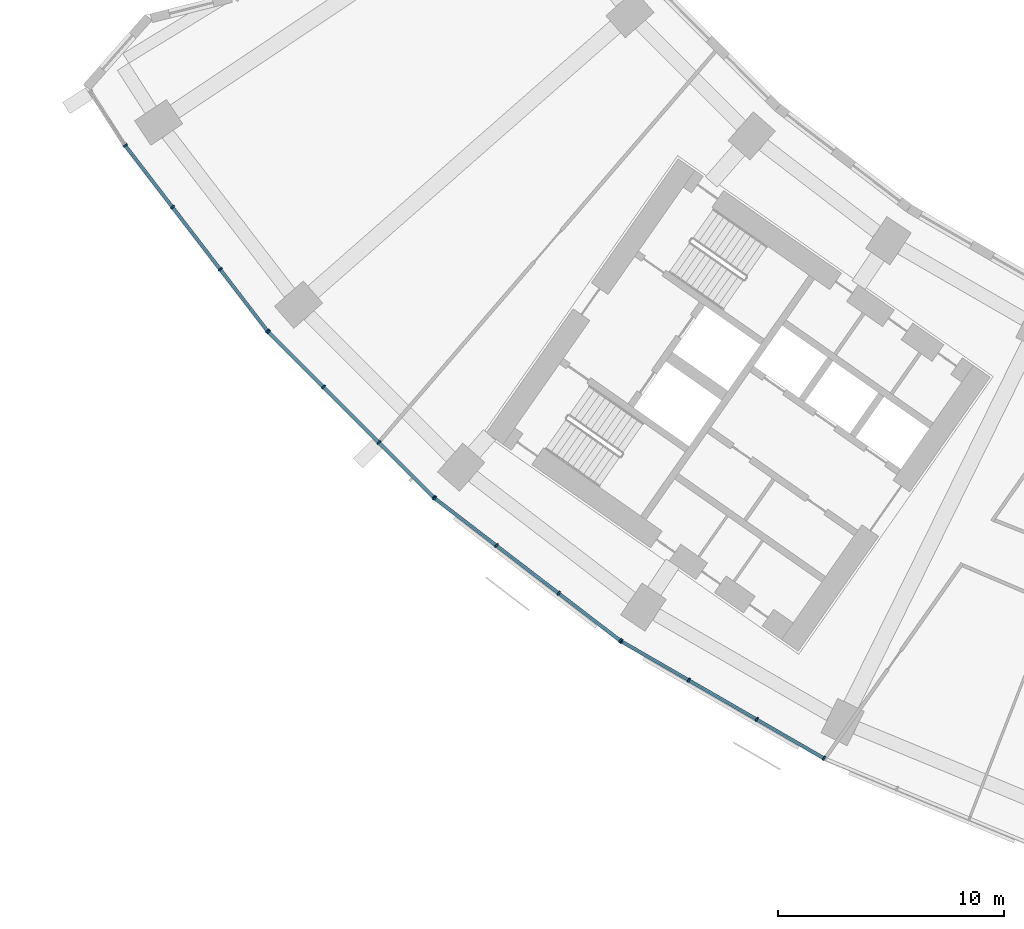
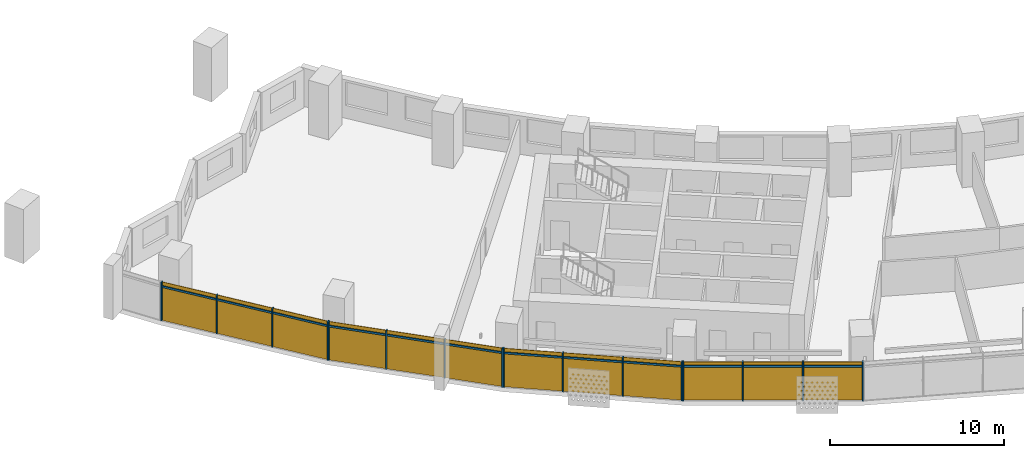
# One storey, part 19 of 31: 28 members, 4 curtain walls.
"""IFC4 building model written with IfcOpenShell, lengths in metres."""

from ifc_helpers import new_model, si_unit, direction, frame, origin, origin_2d, place, context, subcontext, project, spatial, rectangle, extrude, material, material_profile, profile_set, type_object, element, aggregate, save


model = new_model("IFC4")

# Units and contexts
model_context = context("Model", 3, precision=1e-05, world=origin(), true_north=direction((0.0, 1.0)))
body_context = subcontext(model_context, "Body", "Model", "MODEL_VIEW")
ifc_project = project(units=[si_unit("LENGTHUNIT", "METRE"), si_unit("AREAUNIT", "SQUARE_METRE"), si_unit("VOLUMEUNIT", "CUBIC_METRE"), si_unit("PLANEANGLEUNIT", "RADIAN"), si_unit("MASSUNIT", "GRAM", prefix="KILO")], contexts=[model_context])

# Member
ifc_material = material(Name="Aluminium 6063-T6 anodised", Category="aluminium")
ifc_material_profile_1 = material_profile(ifc_material, rectangle(XDim=0.199951171875, YDim=0.070068359375, at=origin_2d()))
ifc_profile_set_1 = profile_set([ifc_material_profile_1], Name="Aluminium 6063-T6 anodised")
member_type_1 = type_object("IfcMemberType", Name="Mullion 70 x 200 aluminium", PredefinedType="MULLION", material=ifc_profile_set_1)
site_placement = place(None, origin())
building_placement = place(site_placement, origin())
storey_placement = place(building_placement, frame((0.0, 0.0, 74.699951171875)))
member_1_placement = place(storey_placement, frame((-66.1259765625, -44.218017578125, 0.0), z_axis=(0.0, 0.0, 1.0), x_axis=(0.793353340291, 0.608761429009, 0.0)))
member_1 = element("IfcMember", 1, at=member_1_placement, type_object=member_type_1, Name="e-cw1-L15-out01/M00", PredefinedType="MULLION", context=body_context, shape_type="SweptSolid", body=[
    extrude(rectangle(XDim=0.199951171875, YDim=0.070068359375, at=origin_2d()), origin(), (0.0, 0.0, 1.0), 2.699951171875),
])

member_2_placement = place(storey_placement, frame((-64.032958984375, -46.945556640625, 0.0), z_axis=(0.0, 0.0, 1.0), x_axis=(0.793353340291, 0.608761429009, 0.0)))
member_2 = element("IfcMember", 2, at=member_2_placement, type_object=member_type_1, Name="e-cw1-L15-out01/M01", PredefinedType="MULLION", context=body_context, shape_type="SweptSolid", body=[
    extrude(rectangle(XDim=0.199951171875, YDim=0.070068359375, at=origin_2d()), origin(), (0.0, 0.0, 1.0), 2.699951171875),
])

member_3_placement = place(storey_placement, frame((-61.9189453125, -49.70068359375, 0.0), z_axis=(0.0, 0.0, 1.0), x_axis=(0.793353340291, 0.608761429009, 0.0)))
member_3 = element("IfcMember", 3, at=member_3_placement, type_object=member_type_1, Name="e-cw1-L15-out01/M02", PredefinedType="MULLION", context=body_context, shape_type="SweptSolid", body=[
    extrude(rectangle(XDim=0.199951171875, YDim=0.070068359375, at=origin_2d()), origin(), (0.0, 0.0, 1.0), 2.699951171875),
])

member_4_placement = place(storey_placement, frame((-59.825927734375, -52.42822265625, 0.0), z_axis=(0.0, 0.0, 1.0), x_axis=(0.793353340291, 0.608761429009, 0.0)))
member_4 = element("IfcMember", 4, at=member_4_placement, type_object=member_type_1, Name="e-cw1-L15-out01/M03", PredefinedType="MULLION", context=body_context, shape_type="SweptSolid", body=[
    extrude(rectangle(XDim=0.199951171875, YDim=0.070068359375, at=origin_2d()), origin(), (0.0, 0.0, 1.0), 2.699951171875),
])

member_5_placement = place(storey_placement, frame((-59.78857421875, -52.470947265625, 0.0), z_axis=(0.0, 0.0, 1.0), x_axis=(0.707106781187, 0.707106781187, 0.0)))
member_5 = element("IfcMember", 5, at=member_5_placement, type_object=member_type_1, Name="e-cw1-L15-out02/M00", PredefinedType="MULLION", context=body_context, shape_type="SweptSolid", body=[
    extrude(rectangle(XDim=0.199951171875, YDim=0.070068359375, at=origin_2d()), origin(), (0.0, 0.0, 1.0), 2.699951171875),
])

member_6_placement = place(storey_placement, frame((-57.357666015625, -54.90185546875, 0.0), z_axis=(0.0, 0.0, 1.0), x_axis=(0.707106781187, 0.707106781187, 0.0)))
member_6 = element("IfcMember", 6, at=member_6_placement, type_object=member_type_1, Name="e-cw1-L15-out02/M01", PredefinedType="MULLION", context=body_context, shape_type="SweptSolid", body=[
    extrude(rectangle(XDim=0.199951171875, YDim=0.070068359375, at=origin_2d()), origin(), (0.0, 0.0, 1.0), 2.699951171875),
])

member_7_placement = place(storey_placement, frame((-54.90185546875, -57.357666015625, 0.0), z_axis=(0.0, 0.0, 1.0), x_axis=(0.707106781187, 0.707106781187, 0.0)))
member_7 = element("IfcMember", 7, at=member_7_placement, type_object=member_type_1, Name="e-cw1-L15-out02/M02", PredefinedType="MULLION", context=body_context, shape_type="SweptSolid", body=[
    extrude(rectangle(XDim=0.199951171875, YDim=0.070068359375, at=origin_2d()), origin(), (0.0, 0.0, 1.0), 2.699951171875),
])

member_8_placement = place(storey_placement, frame((-52.470947265625, -59.78857421875, 0.0), z_axis=(0.0, 0.0, 1.0), x_axis=(0.707106781187, 0.707106781187, 0.0)))
member_8 = element("IfcMember", 8, at=member_8_placement, type_object=member_type_1, Name="e-cw1-L15-out02/M03", PredefinedType="MULLION", context=body_context, shape_type="SweptSolid", body=[
    extrude(rectangle(XDim=0.199951171875, YDim=0.070068359375, at=origin_2d()), origin(), (0.0, 0.0, 1.0), 2.699951171875),
])

member_9_placement = place(storey_placement, frame((-52.42822265625, -59.825927734375, 0.0), z_axis=(0.0, 0.0, 1.0), x_axis=(0.608761429009, 0.793353340291, 0.0)))
member_9 = element("IfcMember", 9, at=member_9_placement, type_object=member_type_1, Name="e-cw1-L15-out03/M00", PredefinedType="MULLION", context=body_context, shape_type="SweptSolid", body=[
    extrude(rectangle(XDim=0.199951171875, YDim=0.070068359375, at=origin_2d()), origin(), (0.0, 0.0, 1.0), 2.699951171875),
])

member_10_placement = place(storey_placement, frame((-49.70068359375, -61.9189453125, 0.0), z_axis=(0.0, 0.0, 1.0), x_axis=(0.608761429009, 0.793353340291, 0.0)))
member_10 = element("IfcMember", 10, at=member_10_placement, type_object=member_type_1, Name="e-cw1-L15-out03/M01", PredefinedType="MULLION", context=body_context, shape_type="SweptSolid", body=[
    extrude(rectangle(XDim=0.199951171875, YDim=0.070068359375, at=origin_2d()), origin(), (0.0, 0.0, 1.0), 2.699951171875),
])

member_11_placement = place(storey_placement, frame((-46.945556640625, -64.032958984375, 0.0), z_axis=(0.0, 0.0, 1.0), x_axis=(0.608761429009, 0.793353340291, 0.0)))
member_11 = element("IfcMember", 11, at=member_11_placement, type_object=member_type_1, Name="e-cw1-L15-out03/M02", PredefinedType="MULLION", context=body_context, shape_type="SweptSolid", body=[
    extrude(rectangle(XDim=0.199951171875, YDim=0.070068359375, at=origin_2d()), origin(), (0.0, 0.0, 1.0), 2.699951171875),
])

member_12_placement = place(storey_placement, frame((-44.218017578125, -66.1259765625, 0.0), z_axis=(0.0, 0.0, 1.0), x_axis=(0.608761429009, 0.793353340291, 0.0)))
member_12 = element("IfcMember", 12, at=member_12_placement, type_object=member_type_1, Name="e-cw1-L15-out03/M03", PredefinedType="MULLION", context=body_context, shape_type="SweptSolid", body=[
    extrude(rectangle(XDim=0.199951171875, YDim=0.070068359375, at=origin_2d()), origin(), (0.0, 0.0, 1.0), 2.699951171875),
])

member_13_placement = place(storey_placement, frame((-44.1708984375, -66.157470703125, 0.0), z_axis=(0.0, 0.0, 1.0), x_axis=(0.5, 0.866025403784, 0.0)))
member_13 = element("IfcMember", 13, at=member_13_placement, type_object=member_type_1, Name="e-cw1-L15-out04/M00", PredefinedType="MULLION", context=body_context, shape_type="SweptSolid", body=[
    extrude(rectangle(XDim=0.199951171875, YDim=0.070068359375, at=origin_2d()), origin(), (0.0, 0.0, 1.0), 2.699951171875),
])

member_14_placement = place(storey_placement, frame((-41.193603515625, -67.87646484375, 0.0), z_axis=(0.0, 0.0, 1.0), x_axis=(0.5, 0.866025403784, 0.0)))
member_14 = element("IfcMember", 14, at=member_14_placement, type_object=member_type_1, Name="e-cw1-L15-out04/M01", PredefinedType="MULLION", context=body_context, shape_type="SweptSolid", body=[
    extrude(rectangle(XDim=0.199951171875, YDim=0.070068359375, at=origin_2d()), origin(), (0.0, 0.0, 1.0), 2.699951171875),
])

member_15_placement = place(storey_placement, frame((-38.18603515625, -69.61279296875, 0.0), z_axis=(0.0, 0.0, 1.0), x_axis=(0.5, 0.866025403784, 0.0)))
member_15 = element("IfcMember", 15, at=member_15_placement, type_object=member_type_1, Name="e-cw1-L15-out04/M02", PredefinedType="MULLION", context=body_context, shape_type="SweptSolid", body=[
    extrude(rectangle(XDim=0.199951171875, YDim=0.070068359375, at=origin_2d()), origin(), (0.0, 0.0, 1.0), 2.699951171875),
])

member_16_placement = place(storey_placement, frame((-35.20849609375, -71.331787109375, 0.0), z_axis=(0.0, 0.0, 1.0), x_axis=(0.5, 0.866025403784, 0.0)))
member_16 = element("IfcMember", 16, at=member_16_placement, type_object=member_type_1, Name="e-cw1-L15-out04/M03", PredefinedType="MULLION", context=body_context, shape_type="SweptSolid", body=[
    extrude(rectangle(XDim=0.199951171875, YDim=0.070068359375, at=origin_2d()), origin(), (0.0, 0.0, 1.0), 2.699951171875),
])

ifc_material_profile_2 = material_profile(ifc_material, rectangle(XDim=0.139892578125, YDim=0.1201171875, at=origin_2d()))
ifc_profile_set_2 = profile_set([ifc_material_profile_2], Name="Aluminium 6063-T6 anodised")
member_type_2 = type_object("IfcMemberType", Name="Transom 120 x 140 aluminium", PredefinedType="USERDEFINED", material=ifc_profile_set_2)
member_17_placement = place(storey_placement, frame((-66.1044921875, -44.245849609375, 2.400146484375), z_axis=(0.608732839803, -0.793375276742, 0.0), x_axis=(0.793375276742, 0.608732839803, 0.0)))
member_17 = element("IfcMember", 17, at=member_17_placement, type_object=member_type_2, Name="e-cw1-L15-out01/T00", ObjectType="TRANSOM", PredefinedType="USERDEFINED", context=body_context, shape_type="SweptSolid", body=[
    extrude(rectangle(XDim=0.139892578125, YDim=0.1201171875, at=origin_2d()), origin(), (0.0, 0.0, 1.0), 3.36767578125),
])

member_18_placement = place(storey_placement, frame((-64.01171875, -46.973388671875, 2.400146484375), z_axis=(0.60875683052, -0.793356868815, 0.0), x_axis=(0.793356868815, 0.60875683052, 0.0)))
member_18 = element("IfcMember", 18, at=member_18_placement, type_object=member_type_2, Name="e-cw1-L15-out01/T01", ObjectType="TRANSOM", PredefinedType="USERDEFINED", context=body_context, shape_type="SweptSolid", body=[
    extrude(rectangle(XDim=0.139892578125, YDim=0.1201171875, at=origin_2d()), origin(), (0.0, 0.0, 1.0), 3.40283203125),
])

member_19_placement = place(storey_placement, frame((-61.8974609375, -49.728515625, 2.400146484375), z_axis=(0.608732839803, -0.793375276742, 0.0), x_axis=(0.793375276742, 0.608732839803, 0.0)))
member_19 = element("IfcMember", 19, at=member_19_placement, type_object=member_type_2, Name="e-cw1-L15-out01/T02", ObjectType="TRANSOM", PredefinedType="USERDEFINED", context=body_context, shape_type="SweptSolid", body=[
    extrude(rectangle(XDim=0.139892578125, YDim=0.1201171875, at=origin_2d()), origin(), (0.0, 0.0, 1.0), 3.36767578125),
])

member_20_placement = place(storey_placement, frame((-59.763916015625, -52.49560546875, 2.400146484375), z_axis=(0.707106781187, -0.707106781187, 0.0), x_axis=(0.707106781187, 0.707106781187, 0.0)))
member_20 = element("IfcMember", 20, at=member_20_placement, type_object=member_type_2, Name="e-cw1-L15-out02/T00", ObjectType="TRANSOM", PredefinedType="USERDEFINED", context=body_context, shape_type="SweptSolid", body=[
    extrude(rectangle(XDim=0.139892578125, YDim=0.1201171875, at=origin_2d()), origin(), (0.0, 0.0, 1.0), 3.3681640625),
])

member_21_placement = place(storey_placement, frame((-57.332763671875, -54.9267578125, 2.400146484375), z_axis=(0.707106781187, -0.707106781187, 0.0), x_axis=(0.707106781187, 0.707106781187, 0.0)))
member_21 = element("IfcMember", 21, at=member_21_placement, type_object=member_type_2, Name="e-cw1-L15-out02/T01", ObjectType="TRANSOM", PredefinedType="USERDEFINED", context=body_context, shape_type="SweptSolid", body=[
    extrude(rectangle(XDim=0.139892578125, YDim=0.1201171875, at=origin_2d()), origin(), (0.0, 0.0, 1.0), 3.402587890625),
])

member_22_placement = place(storey_placement, frame((-54.877197265625, -57.38232421875, 2.400146484375), z_axis=(0.707106781187, -0.707106781187, 0.0), x_axis=(0.707106781187, 0.707106781187, 0.0)))
member_22 = element("IfcMember", 22, at=member_22_placement, type_object=member_type_2, Name="e-cw1-L15-out02/T02", ObjectType="TRANSOM", PredefinedType="USERDEFINED", context=body_context, shape_type="SweptSolid", body=[
    extrude(rectangle(XDim=0.139892578125, YDim=0.1201171875, at=origin_2d()), origin(), (0.0, 0.0, 1.0), 3.3681640625),
])

member_23_placement = place(storey_placement, frame((-52.400390625, -59.847412109375, 2.400146484375), z_axis=(0.793375276742, -0.608732839803, 0.0), x_axis=(0.608732839803, 0.793375276742, 0.0)))
member_23 = element("IfcMember", 23, at=member_23_placement, type_object=member_type_2, Name="e-cw1-L15-out03/T00", ObjectType="TRANSOM", PredefinedType="USERDEFINED", context=body_context, shape_type="SweptSolid", body=[
    extrude(rectangle(XDim=0.139892578125, YDim=0.1201171875, at=origin_2d()), origin(), (0.0, 0.0, 1.0), 3.36767578125),
])

member_24_placement = place(storey_placement, frame((-49.673095703125, -61.940185546875, 2.400146484375), z_axis=(0.793356868815, -0.60875683052, 0.0), x_axis=(0.60875683052, 0.793356868815, 0.0)))
member_24 = element("IfcMember", 24, at=member_24_placement, type_object=member_type_2, Name="e-cw1-L15-out03/T01", ObjectType="TRANSOM", PredefinedType="USERDEFINED", context=body_context, shape_type="SweptSolid", body=[
    extrude(rectangle(XDim=0.139892578125, YDim=0.1201171875, at=origin_2d()), origin(), (0.0, 0.0, 1.0), 3.40283203125),
])

member_25_placement = place(storey_placement, frame((-46.917724609375, -64.054443359375, 2.400146484375), z_axis=(0.793375276742, -0.608732839803, 0.0), x_axis=(0.608732839803, 0.793375276742, 0.0)))
member_25 = element("IfcMember", 25, at=member_25_placement, type_object=member_type_2, Name="e-cw1-L15-out03/T02", ObjectType="TRANSOM", PredefinedType="USERDEFINED", context=body_context, shape_type="SweptSolid", body=[
    extrude(rectangle(XDim=0.139892578125, YDim=0.1201171875, at=origin_2d()), origin(), (0.0, 0.0, 1.0), 3.36767578125),
])

member_26_placement = place(storey_placement, frame((-44.140625, -66.175048828125, 2.400146484375), z_axis=(0.866044351828, -0.49996717959, 0.0), x_axis=(0.49996717959, 0.866044351828, 0.0)))
member_26 = element("IfcMember", 26, at=member_26_placement, type_object=member_type_2, Name="e-cw1-L15-out04/T00", ObjectType="TRANSOM", PredefinedType="USERDEFINED", context=body_context, shape_type="SweptSolid", body=[
    extrude(rectangle(XDim=0.139892578125, YDim=0.1201171875, at=origin_2d()), origin(), (0.0, 0.0, 1.0), 3.367919921875),
])

member_27_placement = place(storey_placement, frame((-41.163330078125, -67.893798828125, 2.400146484375), z_axis=(0.866000398227, -0.500043308395, 0.0), x_axis=(0.500043308395, 0.866000398227, 0.0)))
member_27 = element("IfcMember", 27, at=member_27_placement, type_object=member_type_2, Name="e-cw1-L15-out04/T01", ObjectType="TRANSOM", PredefinedType="USERDEFINED", context=body_context, shape_type="SweptSolid", body=[
    extrude(rectangle(XDim=0.139892578125, YDim=0.1201171875, at=origin_2d()), origin(), (0.0, 0.0, 1.0), 3.403076171875),
])

member_28_placement = place(storey_placement, frame((-38.155517578125, -69.63037109375, 2.400146484375), z_axis=(0.866026229868, -0.499998569178, 0.0), x_axis=(0.499998569178, 0.866026229868, 0.0)))
member_28 = element("IfcMember", 28, at=member_28_placement, type_object=member_type_2, Name="e-cw1-L15-out04/T02", ObjectType="TRANSOM", PredefinedType="USERDEFINED", context=body_context, shape_type="SweptSolid", body=[
    extrude(rectangle(XDim=0.139892578125, YDim=0.1201171875, at=origin_2d()), origin(), (0.0, 0.0, 1.0), 3.36767578125),
])

# Site, building, storey
site = spatial("IfcSite", under=ifc_project, at=site_placement, CompositionType="ELEMENT")
building = spatial("IfcBuilding", under=site, at=building_placement, Name="Qamariyya Broadcast Tower", CompositionType="ELEMENT")
storey = spatial("IfcBuildingStorey", under=building, at=storey_placement, Name="L15", CompositionType="ELEMENT", Elevation=74.699951171875)

# Curtain wall
curtain_wall_type = type_object("IfcCurtainWallType", Name="Unitised curtain wall, anodised aluminium", PredefinedType="NOTDEFINED", material=ifc_material)
curtain_wall_1_placement = place(storey_placement, origin())
curtain_wall_1 = element("IfcCurtainWall", 29, at=curtain_wall_1_placement, inside=storey, type_object=curtain_wall_type, Name="e-cw1-L15-out01", PredefinedType="NOTDEFINED", context=body_context, shape_type="SweptSolid", body=[
    extrude(rectangle(XDim=3.367919921875, YDim=0.031982421875, at=origin_2d()), frame((-65.07958984375, -45.581787109375, 0.0), x_axis=(0.608755679475, -0.79335775203, 0.0)), (0.0, 0.0, 1.0), 2.340087890625),
    extrude(rectangle(XDim=3.367919921875, YDim=0.031982421875, at=origin_2d()), frame((-65.07958984375, -45.581787109375, 2.4599609375), x_axis=(0.608755679475, -0.79335775203, 0.0)), (0.0, 0.0, 1.0), 0.239990234375),
    extrude(rectangle(XDim=3.40283203125, YDim=0.031982421875, at=origin_2d()), frame((-62.97607421875, -48.3232421875, 0.0), x_axis=(0.608755679475, -0.79335775203, 0.0)), (0.0, 0.0, 1.0), 2.340087890625),
    extrude(rectangle(XDim=3.40283203125, YDim=0.031982421875, at=origin_2d()), frame((-62.97607421875, -48.3232421875, 2.4599609375), x_axis=(0.608755679475, -0.79335775203, 0.0)), (0.0, 0.0, 1.0), 0.239990234375),
    extrude(rectangle(XDim=3.367919921875, YDim=0.031982421875, at=origin_2d()), frame((-60.872314453125, -51.064453125, 0.0), x_axis=(0.608755679475, -0.79335775203, 0.0)), (0.0, 0.0, 1.0), 2.340087890625),
    extrude(rectangle(XDim=3.367919921875, YDim=0.031982421875, at=origin_2d()), frame((-60.872314453125, -51.064453125, 2.4599609375), x_axis=(0.608755679475, -0.79335775203, 0.0)), (0.0, 0.0, 1.0), 0.239990234375),
])

aggregate(curtain_wall_1, [member_1, member_2, member_3, member_4, member_17, member_18, member_19])

curtain_wall_2_placement = place(storey_placement, origin())
curtain_wall_2 = element("IfcCurtainWall", 30, at=curtain_wall_2_placement, inside=storey, type_object=curtain_wall_type, Name="e-cw1-L15-out02", PredefinedType="NOTDEFINED", context=body_context, shape_type="SweptSolid", body=[
    extrude(rectangle(XDim=3.367919921875, YDim=0.031982421875, at=origin_2d()), frame((-58.572998046875, -53.6865234375, 0.0), x_axis=(0.707106781187, -0.707106781187, 0.0)), (0.0, 0.0, 1.0), 2.340087890625),
    extrude(rectangle(XDim=3.367919921875, YDim=0.031982421875, at=origin_2d()), frame((-58.572998046875, -53.6865234375, 2.4599609375), x_axis=(0.707106781187, -0.707106781187, 0.0)), (0.0, 0.0, 1.0), 0.239990234375),
    extrude(rectangle(XDim=3.40283203125, YDim=0.031982421875, at=origin_2d()), frame((-56.1298828125, -56.1298828125, 0.0), x_axis=(0.707106781187, -0.707106781187, 0.0)), (0.0, 0.0, 1.0), 2.340087890625),
    extrude(rectangle(XDim=3.40283203125, YDim=0.031982421875, at=origin_2d()), frame((-56.1298828125, -56.1298828125, 2.4599609375), x_axis=(0.707106781187, -0.707106781187, 0.0)), (0.0, 0.0, 1.0), 0.239990234375),
    extrude(rectangle(XDim=3.367919921875, YDim=0.031982421875, at=origin_2d()), frame((-53.6865234375, -58.572998046875, 0.0), x_axis=(0.707106781187, -0.707106781187, 0.0)), (0.0, 0.0, 1.0), 2.340087890625),
    extrude(rectangle(XDim=3.367919921875, YDim=0.031982421875, at=origin_2d()), frame((-53.6865234375, -58.572998046875, 2.4599609375), x_axis=(0.707106781187, -0.707106781187, 0.0)), (0.0, 0.0, 1.0), 0.239990234375),
])

aggregate(curtain_wall_2, [member_5, member_6, member_7, member_8, member_20, member_21, member_22])

curtain_wall_3_placement = place(storey_placement, origin())
curtain_wall_3 = element("IfcCurtainWall", 31, at=curtain_wall_3_placement, inside=storey, type_object=curtain_wall_type, Name="e-cw1-L15-out03", PredefinedType="NOTDEFINED", context=body_context, shape_type="SweptSolid", body=[
    extrude(rectangle(XDim=3.367919921875, YDim=0.031982421875, at=origin_2d()), frame((-51.064453125, -60.872314453125, 0.0), x_axis=(0.79335775203, -0.608755679475, 0.0)), (0.0, 0.0, 1.0), 2.340087890625),
    extrude(rectangle(XDim=3.367919921875, YDim=0.031982421875, at=origin_2d()), frame((-51.064453125, -60.872314453125, 2.4599609375), x_axis=(0.79335775203, -0.608755679475, 0.0)), (0.0, 0.0, 1.0), 0.239990234375),
    extrude(rectangle(XDim=3.40283203125, YDim=0.031982421875, at=origin_2d()), frame((-48.3232421875, -62.97607421875, 0.0), x_axis=(0.79335775203, -0.608755679475, 0.0)), (0.0, 0.0, 1.0), 2.340087890625),
    extrude(rectangle(XDim=3.40283203125, YDim=0.031982421875, at=origin_2d()), frame((-48.3232421875, -62.97607421875, 2.4599609375), x_axis=(0.79335775203, -0.608755679475, 0.0)), (0.0, 0.0, 1.0), 0.239990234375),
    extrude(rectangle(XDim=3.367919921875, YDim=0.031982421875, at=origin_2d()), frame((-45.581787109375, -65.07958984375, 0.0), x_axis=(0.79335775203, -0.608755679475, 0.0)), (0.0, 0.0, 1.0), 2.340087890625),
    extrude(rectangle(XDim=3.367919921875, YDim=0.031982421875, at=origin_2d()), frame((-45.581787109375, -65.07958984375, 2.4599609375), x_axis=(0.79335775203, -0.608755679475, 0.0)), (0.0, 0.0, 1.0), 0.239990234375),
])

aggregate(curtain_wall_3, [member_9, member_10, member_11, member_12, member_23, member_24, member_25])

curtain_wall_4_placement = place(storey_placement, origin())
curtain_wall_4 = element("IfcCurtainWall", 32, at=curtain_wall_4_placement, inside=storey, type_object=curtain_wall_type, Name="e-cw1-L15-out04", PredefinedType="NOTDEFINED", context=body_context, shape_type="SweptSolid", body=[
    extrude(rectangle(XDim=3.367919921875, YDim=0.031982421875, at=origin_2d()), frame((-42.68212890625, -67.016845703125, 0.0), x_axis=(0.86602247392, -0.500005074639, 0.0)), (0.0, 0.0, 1.0), 2.340087890625),
    extrude(rectangle(XDim=3.367919921875, YDim=0.031982421875, at=origin_2d()), frame((-42.68212890625, -67.016845703125, 2.4599609375), x_axis=(0.86602247392, -0.500005074639, 0.0)), (0.0, 0.0, 1.0), 0.239990234375),
    extrude(rectangle(XDim=3.40283203125, YDim=0.031982421875, at=origin_2d()), frame((-39.689697265625, -68.74462890625, 0.0), x_axis=(0.86602247392, -0.500005074639, 0.0)), (0.0, 0.0, 1.0), 2.340087890625),
    extrude(rectangle(XDim=3.40283203125, YDim=0.031982421875, at=origin_2d()), frame((-39.689697265625, -68.74462890625, 2.4599609375), x_axis=(0.86602247392, -0.500005074639, 0.0)), (0.0, 0.0, 1.0), 0.239990234375),
    extrude(rectangle(XDim=3.367919921875, YDim=0.031982421875, at=origin_2d()), frame((-36.697265625, -70.472412109375, 0.0), x_axis=(0.86602247392, -0.500005074639, 0.0)), (0.0, 0.0, 1.0), 2.340087890625),
    extrude(rectangle(XDim=3.367919921875, YDim=0.031982421875, at=origin_2d()), frame((-36.697265625, -70.472412109375, 2.4599609375), x_axis=(0.86602247392, -0.500005074639, 0.0)), (0.0, 0.0, 1.0), 0.239990234375),
])

aggregate(curtain_wall_4, [member_13, member_14, member_15, member_16, member_26, member_27, member_28])

save(model, "model.ifc")
